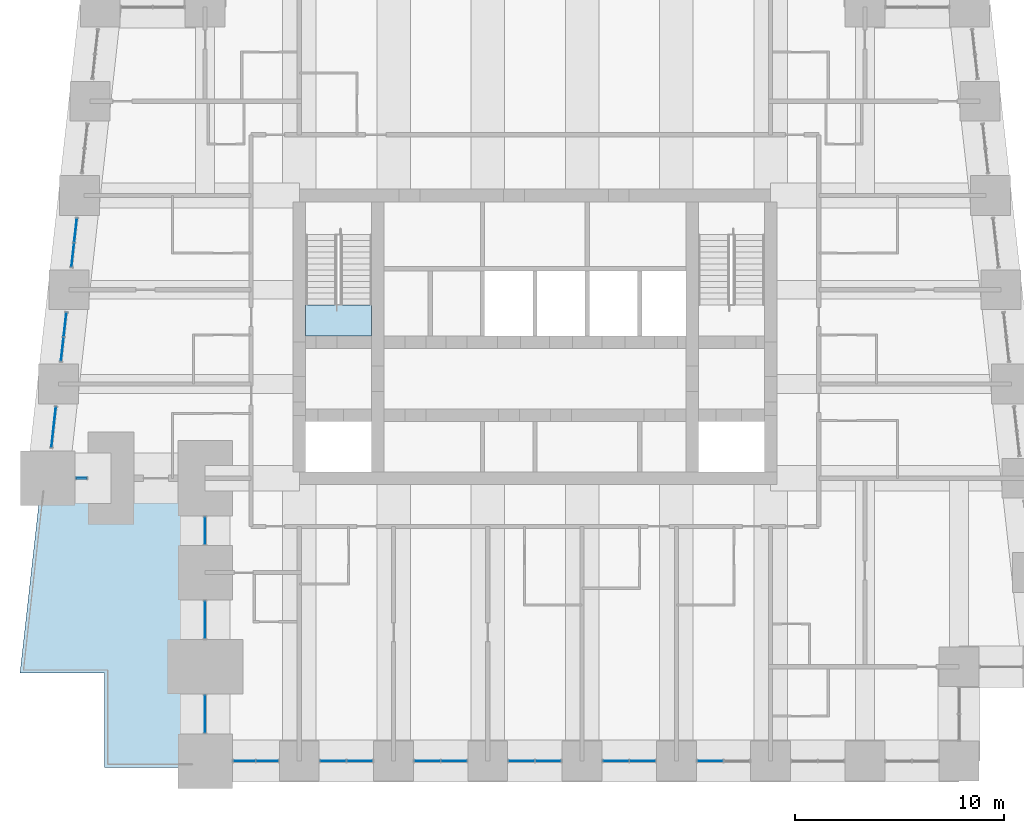
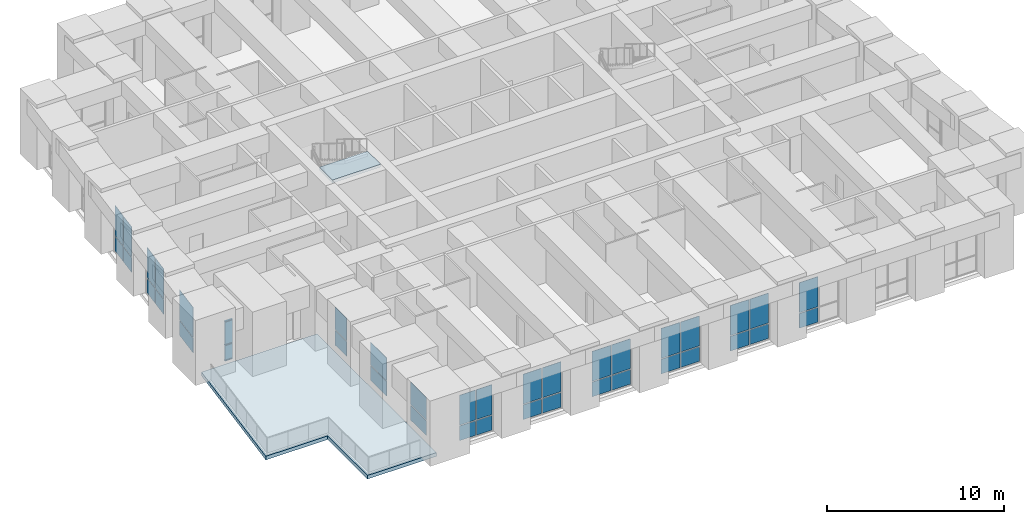
# One storey, part 9 of 16: 40 plates, 3 members, 2 slabs, 14 elements without a shape of their own.
"""IFC4 building model written with IfcOpenShell, lengths in metres."""

from ifc_helpers import new_model, si_unit, direction, frame, origin, origin_2d, place, context, subcontext, project, spatial, polyline, rectangle, outline, extrude, material, layer, layer_set, material_profile, profile_set, type_object, element, aggregate, save


model = new_model("IFC4")

# Units and contexts
model_context = context("Model", 3, precision=1e-05, world=origin(), true_north=direction((0.0, 1.0)))
body_context = subcontext(model_context, "Body", "Model", "MODEL_VIEW")
ifc_project = project(units=[si_unit("LENGTHUNIT", "METRE"), si_unit("AREAUNIT", "SQUARE_METRE"), si_unit("VOLUMEUNIT", "CUBIC_METRE"), si_unit("PLANEANGLEUNIT", "RADIAN"), si_unit("MASSUNIT", "GRAM", prefix="KILO")], contexts=[model_context])

# Site, building, storey
site_placement = place(None, origin())
site = spatial("IfcSite", under=ifc_project, at=site_placement, CompositionType="ELEMENT")
building_placement = place(site_placement, origin())
building = spatial("IfcBuilding", under=site, at=building_placement, Name="Kilele Tower Hotel", CompositionType="ELEMENT")
storey_placement = place(building_placement, frame((0.0, 0.0, 157.89990234375)))
storey = spatial("IfcBuildingStorey", under=building, at=storey_placement, Name="L40", CompositionType="ELEMENT", Elevation=157.89990234375)

# Curtain wall, members, plates
ifc_material_1 = material(Name="Aluminium curtain wall, clear double glazing", Category="aluminium")
curtain_wall_type = type_object("IfcCurtainWallType", Name="Club lounge curtain wall CW-4", PredefinedType="NOTDEFINED", material=ifc_material_1)
curtain_wall_1_placement = place(storey_placement, origin())
curtain_wall_1 = element("IfcCurtainWall", 1, at=curtain_wall_1_placement, inside=storey, type_object=curtain_wall_type, Name="Club lounge curtain wall CW-4 L40", PredefinedType="NOTDEFINED")
ifc_material_2 = material(Name="Aluminium EN AW-6063 T6", Category="aluminium")
ifc_material_profile = material_profile(ifc_material_2, rectangle(XDim=0.1201171875, YDim=0.06005859375, at=origin_2d()))
ifc_profile_set = profile_set([ifc_material_profile], Name="Aluminium EN AW-6063 T6")
member_type = type_object("IfcMemberType", Name="Transom 60x120 CW-4", PredefinedType="USERDEFINED", material=ifc_profile_set)
member_1_placement = place(storey_placement, frame((2.860107421875, 13.5, 0.030029296875), z_axis=(1.0, 0.0, 0.0), x_axis=(0.0, 1.0, 0.0)))
member_1 = element("IfcMember", 2, at=member_1_placement, type_object=member_type, Name="CW-4 transom 1.1", ObjectType="TRANSOM", PredefinedType="USERDEFINED", context=body_context, shape_type="SweptSolid", body=[
    extrude(rectangle(XDim=0.1201171875, YDim=0.06005859375, at=origin_2d()), origin(), (0.0, 0.0, 1.0), 0.47998046875),
])
member_2_placement = place(storey_placement, frame((2.860107421875, 13.5, 1.10009765625), z_axis=(1.0, 0.0, 0.0), x_axis=(0.0, 1.0, 0.0)))
member_2 = element("IfcMember", 3, at=member_2_placement, type_object=member_type, Name="CW-4 transom 1.2", ObjectType="TRANSOM", PredefinedType="USERDEFINED", context=body_context, shape_type="SweptSolid", body=[
    extrude(rectangle(XDim=0.1201171875, YDim=0.06005859375, at=origin_2d()), origin(), (0.0, 0.0, 1.0), 0.47998046875),
])
member_3_placement = place(storey_placement, frame((2.860107421875, 13.5, 2.72021484375), z_axis=(1.0, 0.0, 0.0), x_axis=(0.0, 1.0, 0.0)))
member_3 = element("IfcMember", 4, at=member_3_placement, type_object=member_type, Name="CW-4 transom 1.3", ObjectType="TRANSOM", PredefinedType="USERDEFINED", context=body_context, shape_type="SweptSolid", body=[
    extrude(rectangle(XDim=0.1201171875, YDim=0.06005859375, at=origin_2d()), origin(), (0.0, 0.0, 1.0), 0.47998046875),
])
ifc_material_3 = material(Name="Clear double glazing", Category="glass")
ifc_layer_1 = layer(ifc_material_3, 0.028076171875)
ifc_layer_set_1 = layer_set([ifc_layer_1], Name="Clear double glazing")
plate_type = type_object("IfcPlateType", Name="Glazed panel 28 CW-4", PredefinedType="CURTAIN_PANEL", material=ifc_layer_set_1)
plate_1_placement = place(storey_placement, frame((3.10009765625, 13.5, 0.06005859375), z_axis=(0.0, 0.0, 1.0), x_axis=(1.0, 0.0, 0.0)))
plate_1 = element("IfcPlate", 5, at=plate_1_placement, type_object=plate_type, Name="CW-4 panel 1.1", PredefinedType="CURTAIN_PANEL", context=body_context, shape_type="SweptSolid", body=[
    extrude(rectangle(XDim=0.47998046875, YDim=0.028076171875, at=origin_2d()), origin(), (0.0, 0.0, 1.0), 1.010009765625),
])
plate_2_placement = place(storey_placement, frame((3.10009765625, 13.5, 1.130126953125), z_axis=(0.0, 0.0, 1.0), x_axis=(1.0, 0.0, 0.0)))
plate_2 = element("IfcPlate", 6, at=plate_2_placement, type_object=plate_type, Name="CW-4 panel 1.2", PredefinedType="CURTAIN_PANEL", context=body_context, shape_type="SweptSolid", body=[
    extrude(rectangle(XDim=0.47998046875, YDim=0.028076171875, at=origin_2d()), origin(), (0.0, 0.0, 1.0), 1.56005859375),
])
aggregate(curtain_wall_1, [member_1, member_2, member_3, plate_1, plate_2])

# Curtain wall, plates
curtain_wall_2_placement = place(storey_placement, origin())
curtain_wall_2 = element("IfcCurtainWall", 7, at=curtain_wall_2_placement, inside=storey, type_object=curtain_wall_type, Name="Club lounge curtain wall CW-4 L40", PredefinedType="NOTDEFINED")
plate_3_placement = place(storey_placement, frame((9.0, 11.0, 0.06005859375), z_axis=(0.0, 0.0, 1.0), x_axis=(0.0, -1.0, 0.0)))
plate_3 = element("IfcPlate", 8, at=plate_3_placement, type_object=plate_type, Name="CW-4 panel 1.1", PredefinedType="CURTAIN_PANEL", context=body_context, shape_type="SweptSolid", body=[
    extrude(rectangle(XDim=1.280029296875, YDim=0.028076171875, at=origin_2d()), origin(), (0.0, 0.0, 1.0), 1.010009765625),
])
plate_4_placement = place(storey_placement, frame((9.0, 11.0, 1.130126953125), z_axis=(0.0, 0.0, 1.0), x_axis=(0.0, -1.0, 0.0)))
plate_4 = element("IfcPlate", 9, at=plate_4_placement, type_object=plate_type, Name="CW-4 panel 1.2", PredefinedType="CURTAIN_PANEL", context=body_context, shape_type="SweptSolid", body=[
    extrude(rectangle(XDim=1.280029296875, YDim=0.028076171875, at=origin_2d()), origin(), (0.0, 0.0, 1.0), 1.56005859375),
])
aggregate(curtain_wall_2, [plate_3, plate_4])

curtain_wall_3_placement = place(storey_placement, origin())
curtain_wall_3 = element("IfcCurtainWall", 10, at=curtain_wall_3_placement, inside=storey, type_object=curtain_wall_type, Name="Club lounge curtain wall CW-4 L40", PredefinedType="NOTDEFINED")
plate_5_placement = place(storey_placement, frame((9.0, 6.75, 0.06005859375), z_axis=(0.0, 0.0, 1.0), x_axis=(0.0, -1.0, 0.0)))
plate_5 = element("IfcPlate", 11, at=plate_5_placement, type_object=plate_type, Name="CW-4 panel 1.1", PredefinedType="CURTAIN_PANEL", context=body_context, shape_type="SweptSolid", body=[
    extrude(rectangle(XDim=1.780029296875, YDim=0.028076171875, at=origin_2d()), origin(), (0.0, 0.0, 1.0), 1.010009765625),
])
plate_6_placement = place(storey_placement, frame((9.0, 6.75, 1.130126953125), z_axis=(0.0, 0.0, 1.0), x_axis=(0.0, -1.0, 0.0)))
plate_6 = element("IfcPlate", 12, at=plate_6_placement, type_object=plate_type, Name="CW-4 panel 1.2", PredefinedType="CURTAIN_PANEL", context=body_context, shape_type="SweptSolid", body=[
    extrude(rectangle(XDim=1.780029296875, YDim=0.028076171875, at=origin_2d()), origin(), (0.0, 0.0, 1.0), 1.56005859375),
])
aggregate(curtain_wall_3, [plate_5, plate_6])

curtain_wall_4_placement = place(storey_placement, origin())
curtain_wall_4 = element("IfcCurtainWall", 13, at=curtain_wall_4_placement, inside=storey, type_object=curtain_wall_type, Name="Club lounge curtain wall CW-4 L40", PredefinedType="NOTDEFINED")
plate_7_placement = place(storey_placement, frame((9.0, 2.25, 0.06005859375), z_axis=(0.0, 0.0, 1.0), x_axis=(0.0, -1.0, 0.0)))
plate_7 = element("IfcPlate", 14, at=plate_7_placement, type_object=plate_type, Name="CW-4 panel 1.1", PredefinedType="CURTAIN_PANEL", context=body_context, shape_type="SweptSolid", body=[
    extrude(rectangle(XDim=1.780029296875, YDim=0.028076171875, at=origin_2d()), origin(), (0.0, 0.0, 1.0), 1.010009765625),
])
plate_8_placement = place(storey_placement, frame((9.0, 2.25, 1.130126953125), z_axis=(0.0, 0.0, 1.0), x_axis=(0.0, -1.0, 0.0)))
plate_8 = element("IfcPlate", 15, at=plate_8_placement, type_object=plate_type, Name="CW-4 panel 1.2", PredefinedType="CURTAIN_PANEL", context=body_context, shape_type="SweptSolid", body=[
    extrude(rectangle(XDim=1.780029296875, YDim=0.028076171875, at=origin_2d()), origin(), (0.0, 0.0, 1.0), 1.56005859375),
])
aggregate(curtain_wall_4, [plate_7, plate_8])

curtain_wall_5_placement = place(storey_placement, origin())
curtain_wall_5 = element("IfcCurtainWall", 16, at=curtain_wall_5_placement, inside=storey, type_object=curtain_wall_type, Name="Club lounge curtain wall CW-4 L40", PredefinedType="NOTDEFINED")
plate_9_placement = place(storey_placement, frame((10.87744140625, 0.0, 0.06005859375), z_axis=(0.0, 0.0, 1.0), x_axis=(1.0, 0.0, 0.0)))
plate_9 = element("IfcPlate", 17, at=plate_9_placement, type_object=plate_type, Name="CW-4 panel 1.1", PredefinedType="CURTAIN_PANEL", context=body_context, shape_type="SweptSolid", body=[
    extrude(rectangle(XDim=1.034912109375, YDim=0.028076171875, at=origin_2d()), origin(), (0.0, 0.0, 1.0), 1.010009765625),
])
plate_10_placement = place(storey_placement, frame((10.87744140625, 0.0, 1.130126953125), z_axis=(0.0, 0.0, 1.0), x_axis=(1.0, 0.0, 0.0)))
plate_10 = element("IfcPlate", 18, at=plate_10_placement, type_object=plate_type, Name="CW-4 panel 1.2", PredefinedType="CURTAIN_PANEL", context=body_context, shape_type="SweptSolid", body=[
    extrude(rectangle(XDim=1.034912109375, YDim=0.028076171875, at=origin_2d()), origin(), (0.0, 0.0, 1.0), 2.06005859375),
])
plate_11_placement = place(storey_placement, frame((11.972412109375, 0.0, 0.06005859375), z_axis=(0.0, 0.0, 1.0), x_axis=(1.0, 0.0, 0.0)))
plate_11 = element("IfcPlate", 19, at=plate_11_placement, type_object=plate_type, Name="CW-4 panel 2.1", PredefinedType="CURTAIN_PANEL", context=body_context, shape_type="SweptSolid", body=[
    extrude(rectangle(XDim=1.034912109375, YDim=0.028076171875, at=origin_2d()), origin(), (0.0, 0.0, 1.0), 1.010009765625),
])
plate_12_placement = place(storey_placement, frame((11.972412109375, 0.0, 1.130126953125), z_axis=(0.0, 0.0, 1.0), x_axis=(1.0, 0.0, 0.0)))
plate_12 = element("IfcPlate", 20, at=plate_12_placement, type_object=plate_type, Name="CW-4 panel 2.2", PredefinedType="CURTAIN_PANEL", context=body_context, shape_type="SweptSolid", body=[
    extrude(rectangle(XDim=1.034912109375, YDim=0.028076171875, at=origin_2d()), origin(), (0.0, 0.0, 1.0), 2.06005859375),
])
aggregate(curtain_wall_5, [plate_9, plate_10, plate_11, plate_12])

curtain_wall_6_placement = place(storey_placement, origin())
curtain_wall_6 = element("IfcCurtainWall", 21, at=curtain_wall_6_placement, inside=storey, type_object=curtain_wall_type, Name="Club lounge curtain wall CW-4 L40", PredefinedType="NOTDEFINED")
plate_13_placement = place(storey_placement, frame((15.114990234375, 0.0, 0.06005859375), z_axis=(0.0, 0.0, 1.0), x_axis=(1.0, 0.0, 0.0)))
plate_13 = element("IfcPlate", 22, at=plate_13_placement, type_object=plate_type, Name="CW-4 panel 1.1", PredefinedType="CURTAIN_PANEL", context=body_context, shape_type="SweptSolid", body=[
    extrude(rectangle(XDim=1.2099609375, YDim=0.028076171875, at=origin_2d()), origin(), (0.0, 0.0, 1.0), 1.010009765625),
])
plate_14_placement = place(storey_placement, frame((15.114990234375, 0.0, 1.130126953125), z_axis=(0.0, 0.0, 1.0), x_axis=(1.0, 0.0, 0.0)))
plate_14 = element("IfcPlate", 23, at=plate_14_placement, type_object=plate_type, Name="CW-4 panel 1.2", PredefinedType="CURTAIN_PANEL", context=body_context, shape_type="SweptSolid", body=[
    extrude(rectangle(XDim=1.2099609375, YDim=0.028076171875, at=origin_2d()), origin(), (0.0, 0.0, 1.0), 2.06005859375),
])
plate_15_placement = place(storey_placement, frame((16.385009765625, 0.0, 0.06005859375), z_axis=(0.0, 0.0, 1.0), x_axis=(1.0, 0.0, 0.0)))
plate_15 = element("IfcPlate", 24, at=plate_15_placement, type_object=plate_type, Name="CW-4 panel 2.1", PredefinedType="CURTAIN_PANEL", context=body_context, shape_type="SweptSolid", body=[
    extrude(rectangle(XDim=1.2099609375, YDim=0.028076171875, at=origin_2d()), origin(), (0.0, 0.0, 1.0), 1.010009765625),
])
plate_16_placement = place(storey_placement, frame((16.385009765625, 0.0, 1.130126953125), z_axis=(0.0, 0.0, 1.0), x_axis=(1.0, 0.0, 0.0)))
plate_16 = element("IfcPlate", 25, at=plate_16_placement, type_object=plate_type, Name="CW-4 panel 2.2", PredefinedType="CURTAIN_PANEL", context=body_context, shape_type="SweptSolid", body=[
    extrude(rectangle(XDim=1.2099609375, YDim=0.028076171875, at=origin_2d()), origin(), (0.0, 0.0, 1.0), 2.06005859375),
])
aggregate(curtain_wall_6, [plate_13, plate_14, plate_15, plate_16])

curtain_wall_7_placement = place(storey_placement, origin())
curtain_wall_7 = element("IfcCurtainWall", 26, at=curtain_wall_7_placement, inside=storey, type_object=curtain_wall_type, Name="Club lounge curtain wall CW-4 L40", PredefinedType="NOTDEFINED")
plate_17_placement = place(storey_placement, frame((19.614990234375, 0.0, 0.06005859375), z_axis=(0.0, 0.0, 1.0), x_axis=(1.0, 0.0, 0.0)))
plate_17 = element("IfcPlate", 27, at=plate_17_placement, type_object=plate_type, Name="CW-4 panel 1.1", PredefinedType="CURTAIN_PANEL", context=body_context, shape_type="SweptSolid", body=[
    extrude(rectangle(XDim=1.2099609375, YDim=0.028076171875, at=origin_2d()), origin(), (0.0, 0.0, 1.0), 1.010009765625),
])
plate_18_placement = place(storey_placement, frame((19.614990234375, 0.0, 1.130126953125), z_axis=(0.0, 0.0, 1.0), x_axis=(1.0, 0.0, 0.0)))
plate_18 = element("IfcPlate", 28, at=plate_18_placement, type_object=plate_type, Name="CW-4 panel 1.2", PredefinedType="CURTAIN_PANEL", context=body_context, shape_type="SweptSolid", body=[
    extrude(rectangle(XDim=1.2099609375, YDim=0.028076171875, at=origin_2d()), origin(), (0.0, 0.0, 1.0), 2.06005859375),
])
plate_19_placement = place(storey_placement, frame((20.885009765625, 0.0, 0.06005859375), z_axis=(0.0, 0.0, 1.0), x_axis=(1.0, 0.0, 0.0)))
plate_19 = element("IfcPlate", 29, at=plate_19_placement, type_object=plate_type, Name="CW-4 panel 2.1", PredefinedType="CURTAIN_PANEL", context=body_context, shape_type="SweptSolid", body=[
    extrude(rectangle(XDim=1.2099609375, YDim=0.028076171875, at=origin_2d()), origin(), (0.0, 0.0, 1.0), 1.010009765625),
])
plate_20_placement = place(storey_placement, frame((20.885009765625, 0.0, 1.130126953125), z_axis=(0.0, 0.0, 1.0), x_axis=(1.0, 0.0, 0.0)))
plate_20 = element("IfcPlate", 30, at=plate_20_placement, type_object=plate_type, Name="CW-4 panel 2.2", PredefinedType="CURTAIN_PANEL", context=body_context, shape_type="SweptSolid", body=[
    extrude(rectangle(XDim=1.2099609375, YDim=0.028076171875, at=origin_2d()), origin(), (0.0, 0.0, 1.0), 2.06005859375),
])
aggregate(curtain_wall_7, [plate_17, plate_18, plate_19, plate_20])

curtain_wall_8_placement = place(storey_placement, origin())
curtain_wall_8 = element("IfcCurtainWall", 31, at=curtain_wall_8_placement, inside=storey, type_object=curtain_wall_type, Name="Club lounge curtain wall CW-4 L40", PredefinedType="NOTDEFINED")
plate_21_placement = place(storey_placement, frame((24.114990234375, 0.0, 0.06005859375), z_axis=(0.0, 0.0, 1.0), x_axis=(1.0, 0.0, 0.0)))
plate_21 = element("IfcPlate", 32, at=plate_21_placement, type_object=plate_type, Name="CW-4 panel 1.1", PredefinedType="CURTAIN_PANEL", context=body_context, shape_type="SweptSolid", body=[
    extrude(rectangle(XDim=1.2099609375, YDim=0.028076171875, at=origin_2d()), origin(), (0.0, 0.0, 1.0), 1.010009765625),
])
plate_22_placement = place(storey_placement, frame((24.114990234375, 0.0, 1.130126953125), z_axis=(0.0, 0.0, 1.0), x_axis=(1.0, 0.0, 0.0)))
plate_22 = element("IfcPlate", 33, at=plate_22_placement, type_object=plate_type, Name="CW-4 panel 1.2", PredefinedType="CURTAIN_PANEL", context=body_context, shape_type="SweptSolid", body=[
    extrude(rectangle(XDim=1.2099609375, YDim=0.028076171875, at=origin_2d()), origin(), (0.0, 0.0, 1.0), 2.06005859375),
])
plate_23_placement = place(storey_placement, frame((25.385009765625, 0.0, 0.06005859375), z_axis=(0.0, 0.0, 1.0), x_axis=(1.0, 0.0, 0.0)))
plate_23 = element("IfcPlate", 34, at=plate_23_placement, type_object=plate_type, Name="CW-4 panel 2.1", PredefinedType="CURTAIN_PANEL", context=body_context, shape_type="SweptSolid", body=[
    extrude(rectangle(XDim=1.2099609375, YDim=0.028076171875, at=origin_2d()), origin(), (0.0, 0.0, 1.0), 1.010009765625),
])
plate_24_placement = place(storey_placement, frame((25.385009765625, 0.0, 1.130126953125), z_axis=(0.0, 0.0, 1.0), x_axis=(1.0, 0.0, 0.0)))
plate_24 = element("IfcPlate", 35, at=plate_24_placement, type_object=plate_type, Name="CW-4 panel 2.2", PredefinedType="CURTAIN_PANEL", context=body_context, shape_type="SweptSolid", body=[
    extrude(rectangle(XDim=1.2099609375, YDim=0.028076171875, at=origin_2d()), origin(), (0.0, 0.0, 1.0), 2.06005859375),
])
aggregate(curtain_wall_8, [plate_21, plate_22, plate_23, plate_24])

curtain_wall_9_placement = place(storey_placement, origin())
curtain_wall_9 = element("IfcCurtainWall", 36, at=curtain_wall_9_placement, inside=storey, type_object=curtain_wall_type, Name="Club lounge curtain wall CW-4 L40", PredefinedType="NOTDEFINED")
plate_25_placement = place(storey_placement, frame((28.614990234375, 0.0, 0.06005859375), z_axis=(0.0, 0.0, 1.0), x_axis=(1.0, 0.0, 0.0)))
plate_25 = element("IfcPlate", 37, at=plate_25_placement, type_object=plate_type, Name="CW-4 panel 1.1", PredefinedType="CURTAIN_PANEL", context=body_context, shape_type="SweptSolid", body=[
    extrude(rectangle(XDim=1.2099609375, YDim=0.028076171875, at=origin_2d()), origin(), (0.0, 0.0, 1.0), 1.010009765625),
])
plate_26_placement = place(storey_placement, frame((28.614990234375, 0.0, 1.130126953125), z_axis=(0.0, 0.0, 1.0), x_axis=(1.0, 0.0, 0.0)))
plate_26 = element("IfcPlate", 38, at=plate_26_placement, type_object=plate_type, Name="CW-4 panel 1.2", PredefinedType="CURTAIN_PANEL", context=body_context, shape_type="SweptSolid", body=[
    extrude(rectangle(XDim=1.2099609375, YDim=0.028076171875, at=origin_2d()), origin(), (0.0, 0.0, 1.0), 2.06005859375),
])
plate_27_placement = place(storey_placement, frame((29.885009765625, 0.0, 0.06005859375), z_axis=(0.0, 0.0, 1.0), x_axis=(1.0, 0.0, 0.0)))
plate_27 = element("IfcPlate", 39, at=plate_27_placement, type_object=plate_type, Name="CW-4 panel 2.1", PredefinedType="CURTAIN_PANEL", context=body_context, shape_type="SweptSolid", body=[
    extrude(rectangle(XDim=1.2099609375, YDim=0.028076171875, at=origin_2d()), origin(), (0.0, 0.0, 1.0), 1.010009765625),
])
plate_28_placement = place(storey_placement, frame((29.885009765625, 0.0, 1.130126953125), z_axis=(0.0, 0.0, 1.0), x_axis=(1.0, 0.0, 0.0)))
plate_28 = element("IfcPlate", 40, at=plate_28_placement, type_object=plate_type, Name="CW-4 panel 2.2", PredefinedType="CURTAIN_PANEL", context=body_context, shape_type="SweptSolid", body=[
    extrude(rectangle(XDim=1.2099609375, YDim=0.028076171875, at=origin_2d()), origin(), (0.0, 0.0, 1.0), 2.06005859375),
])
aggregate(curtain_wall_9, [plate_25, plate_26, plate_27, plate_28])

curtain_wall_10_placement = place(storey_placement, origin())
curtain_wall_10 = element("IfcCurtainWall", 41, at=curtain_wall_10_placement, inside=storey, type_object=curtain_wall_type, Name="Club lounge curtain wall CW-4 L40", PredefinedType="NOTDEFINED")
plate_29_placement = place(storey_placement, frame((33.114990234375, 0.0, 0.06005859375), z_axis=(0.0, 0.0, 1.0), x_axis=(1.0, 0.0, 0.0)))
plate_29 = element("IfcPlate", 42, at=plate_29_placement, type_object=plate_type, Name="CW-4 panel 1.1", PredefinedType="CURTAIN_PANEL", context=body_context, shape_type="SweptSolid", body=[
    extrude(rectangle(XDim=1.2099609375, YDim=0.028076171875, at=origin_2d()), origin(), (0.0, 0.0, 1.0), 1.010009765625),
])
plate_30_placement = place(storey_placement, frame((33.114990234375, 0.0, 1.130126953125), z_axis=(0.0, 0.0, 1.0), x_axis=(1.0, 0.0, 0.0)))
plate_30 = element("IfcPlate", 43, at=plate_30_placement, type_object=plate_type, Name="CW-4 panel 1.2", PredefinedType="CURTAIN_PANEL", context=body_context, shape_type="SweptSolid", body=[
    extrude(rectangle(XDim=1.2099609375, YDim=0.028076171875, at=origin_2d()), origin(), (0.0, 0.0, 1.0), 2.06005859375),
])
aggregate(curtain_wall_10, [plate_29, plate_30])

curtain_wall_11_placement = place(storey_placement, origin())
curtain_wall_11 = element("IfcCurtainWall", 44, at=curtain_wall_11_placement, inside=storey, type_object=curtain_wall_type, Name="Club lounge curtain wall CW-4 L40", PredefinedType="NOTDEFINED")
plate_31_placement = place(storey_placement, frame((2.8154296875, 25.3388671875, 0.06005859375), z_axis=(0.0, 0.0, 1.0), x_axis=(-0.110431525712, -0.993883734714, 0.0)))
plate_31 = element("IfcPlate", 45, at=plate_31_placement, type_object=plate_type, Name="CW-4 panel 1.1", PredefinedType="CURTAIN_PANEL", context=body_context, shape_type="SweptSolid", body=[
    extrude(rectangle(XDim=1.124755859375, YDim=0.028076171875, at=origin_2d()), origin(), (0.0, 0.0, 1.0), 1.010009765625),
])
plate_32_placement = place(storey_placement, frame((2.8154296875, 25.3388671875, 1.130126953125), z_axis=(0.0, 0.0, 1.0), x_axis=(-0.110431525712, -0.993883734714, 0.0)))
plate_32 = element("IfcPlate", 46, at=plate_32_placement, type_object=plate_type, Name="CW-4 panel 1.2", PredefinedType="CURTAIN_PANEL", context=body_context, shape_type="SweptSolid", body=[
    extrude(rectangle(XDim=1.124755859375, YDim=0.028076171875, at=origin_2d()), origin(), (0.0, 0.0, 1.0), 2.06005859375),
])
plate_33_placement = place(storey_placement, frame((2.6845703125, 24.1611328125, 0.06005859375), z_axis=(0.0, 0.0, 1.0), x_axis=(-0.110431525712, -0.993883734714, 0.0)))
plate_33 = element("IfcPlate", 47, at=plate_33_placement, type_object=plate_type, Name="CW-4 panel 2.1", PredefinedType="CURTAIN_PANEL", context=body_context, shape_type="SweptSolid", body=[
    extrude(rectangle(XDim=1.124755859375, YDim=0.028076171875, at=origin_2d()), origin(), (0.0, 0.0, 1.0), 1.010009765625),
])
plate_34_placement = place(storey_placement, frame((2.6845703125, 24.1611328125, 1.130126953125), z_axis=(0.0, 0.0, 1.0), x_axis=(-0.110431525712, -0.993883734714, 0.0)))
plate_34 = element("IfcPlate", 48, at=plate_34_placement, type_object=plate_type, Name="CW-4 panel 2.2", PredefinedType="CURTAIN_PANEL", context=body_context, shape_type="SweptSolid", body=[
    extrude(rectangle(XDim=1.124755859375, YDim=0.028076171875, at=origin_2d()), origin(), (0.0, 0.0, 1.0), 2.06005859375),
])
aggregate(curtain_wall_11, [plate_31, plate_32, plate_33, plate_34])

curtain_wall_12_placement = place(storey_placement, origin())
curtain_wall_12 = element("IfcCurtainWall", 49, at=curtain_wall_12_placement, inside=storey, type_object=curtain_wall_type, Name="Club lounge curtain wall CW-4 L40", PredefinedType="NOTDEFINED")
plate_35_placement = place(storey_placement, frame((2.3154296875, 20.8388671875, 0.06005859375), z_axis=(0.0, 0.0, 1.0), x_axis=(-0.110431525712, -0.993883734714, 0.0)))
plate_35 = element("IfcPlate", 50, at=plate_35_placement, type_object=plate_type, Name="CW-4 panel 1.1", PredefinedType="CURTAIN_PANEL", context=body_context, shape_type="SweptSolid", body=[
    extrude(rectangle(XDim=1.124755859375, YDim=0.028076171875, at=origin_2d()), origin(), (0.0, 0.0, 1.0), 1.010009765625),
])
plate_36_placement = place(storey_placement, frame((2.3154296875, 20.8388671875, 1.130126953125), z_axis=(0.0, 0.0, 1.0), x_axis=(-0.110431525712, -0.993883734714, 0.0)))
plate_36 = element("IfcPlate", 51, at=plate_36_placement, type_object=plate_type, Name="CW-4 panel 1.2", PredefinedType="CURTAIN_PANEL", context=body_context, shape_type="SweptSolid", body=[
    extrude(rectangle(XDim=1.124755859375, YDim=0.028076171875, at=origin_2d()), origin(), (0.0, 0.0, 1.0), 2.06005859375),
])
plate_37_placement = place(storey_placement, frame((2.1845703125, 19.6611328125, 0.06005859375), z_axis=(0.0, 0.0, 1.0), x_axis=(-0.110431525712, -0.993883734714, 0.0)))
plate_37 = element("IfcPlate", 52, at=plate_37_placement, type_object=plate_type, Name="CW-4 panel 2.1", PredefinedType="CURTAIN_PANEL", context=body_context, shape_type="SweptSolid", body=[
    extrude(rectangle(XDim=1.124755859375, YDim=0.028076171875, at=origin_2d()), origin(), (0.0, 0.0, 1.0), 1.010009765625),
])
plate_38_placement = place(storey_placement, frame((2.1845703125, 19.6611328125, 1.130126953125), z_axis=(0.0, 0.0, 1.0), x_axis=(-0.110431525712, -0.993883734714, 0.0)))
plate_38 = element("IfcPlate", 53, at=plate_38_placement, type_object=plate_type, Name="CW-4 panel 2.2", PredefinedType="CURTAIN_PANEL", context=body_context, shape_type="SweptSolid", body=[
    extrude(rectangle(XDim=1.124755859375, YDim=0.028076171875, at=origin_2d()), origin(), (0.0, 0.0, 1.0), 2.06005859375),
])
aggregate(curtain_wall_12, [plate_35, plate_36, plate_37, plate_38])

curtain_wall_13_placement = place(storey_placement, origin())
curtain_wall_13 = element("IfcCurtainWall", 54, at=curtain_wall_13_placement, inside=storey, type_object=curtain_wall_type, Name="Club lounge curtain wall CW-4 L40", PredefinedType="NOTDEFINED")
plate_39_placement = place(storey_placement, frame((1.771240234375, 15.942138671875, 0.06005859375), z_axis=(0.0, 0.0, 1.0), x_axis=(-0.110431526024, -0.993883734679, 0.0)))
plate_39 = element("IfcPlate", 55, at=plate_39_placement, type_object=plate_type, Name="CW-4 panel 1.1", PredefinedType="CURTAIN_PANEL", context=body_context, shape_type="SweptSolid", body=[
    extrude(rectangle(XDim=1.923095703125, YDim=0.028076171875, at=origin_2d()), origin(), (0.0, 0.0, 1.0), 1.010009765625),
])
plate_40_placement = place(storey_placement, frame((1.771240234375, 15.942138671875, 1.130126953125), z_axis=(0.0, 0.0, 1.0), x_axis=(-0.110431526024, -0.993883734679, 0.0)))
plate_40 = element("IfcPlate", 56, at=plate_40_placement, type_object=plate_type, Name="CW-4 panel 1.2", PredefinedType="CURTAIN_PANEL", context=body_context, shape_type="SweptSolid", body=[
    extrude(rectangle(XDim=1.923095703125, YDim=0.028076171875, at=origin_2d()), origin(), (0.0, 0.0, 1.0), 2.06005859375),
])
aggregate(curtain_wall_13, [plate_39, plate_40])

# Slab
ifc_material_4 = material(Name="Concrete C60/75", Category="concrete")
ifc_layer_2 = layer(ifc_material_4, 0.25)
ifc_layer_set_2 = layer_set([ifc_layer_2], Name="Concrete C60/75")
slab_type_1 = type_object("IfcSlabType", Name="Roof slab 250", PredefinedType="ROOF", material=ifc_layer_set_2)
slab_1_placement = place(storey_placement, frame((0.0, 0.0, -0.25)))
element("IfcSlab", 57, at=slab_1_placement, inside=storey, type_object=slab_type_1, Name="Roof slab level L40", PredefinedType="ROOF", context=body_context, shape_type="SweptSolid", body=[
    extrude(outline(polyline([(1.164794921875, 13.198974609375), (1.164794921875, 13.198974609375), (1.164794921875, 13.198974609375), (8.698974609375, 13.198974609375), (8.698974609375, -0.300048828125), (4.199951171875, -0.300048828125), (4.199951171875, 4.199951171875), (0.164794921875, 4.199951171875), (1.164794921875, 13.198974609375)])), origin(), (0.0, 0.0, 1.0), 0.25),
])

# Stair, slab
ifc_material_5 = material(Name="Precast concrete C40/50", Category="concrete")
stair_type = type_object("IfcStairType", Name="Stair 1475 x 4500", PredefinedType="HALF_TURN_STAIR", material=ifc_material_5)
stair_placement = place(storey_placement, origin())
stair = element("IfcStair", 58, at=stair_placement, inside=storey, type_object=stair_type, Name="Stair 1 L40", PredefinedType="HALF_TURN_STAIR")
ifc_material_6 = material(Name="Precast concrete C40/50", Category="concrete")
ifc_layer_3 = layer(ifc_material_6, 0.199951171875)
ifc_layer_set_3 = layer_set([ifc_layer_3], Name="Precast concrete C40/50")
slab_type_2 = type_object("IfcSlabType", Name="Stair landing 200", PredefinedType="LANDING", material=ifc_layer_set_3)
slab_2_placement = place(storey_placement, frame((0.0, 0.0, 4.300048828125)))
slab_2 = element("IfcSlab", 59, at=slab_2_placement, type_object=slab_type_2, Name="ST1 landing 2", PredefinedType="LANDING", context=body_context, shape_type="SweptSolid", body=[
    extrude(outline(polyline([(13.800048828125, 20.300048828125), (16.949951171875, 20.300048828125), (16.949951171875, 21.77490234375), (13.800048828125, 21.77490234375), (13.800048828125, 20.300048828125)])), origin(), (0.0, 0.0, 1.0), 0.199951171875),
])
aggregate(stair, [slab_2])

save(model, "model.ifc")
